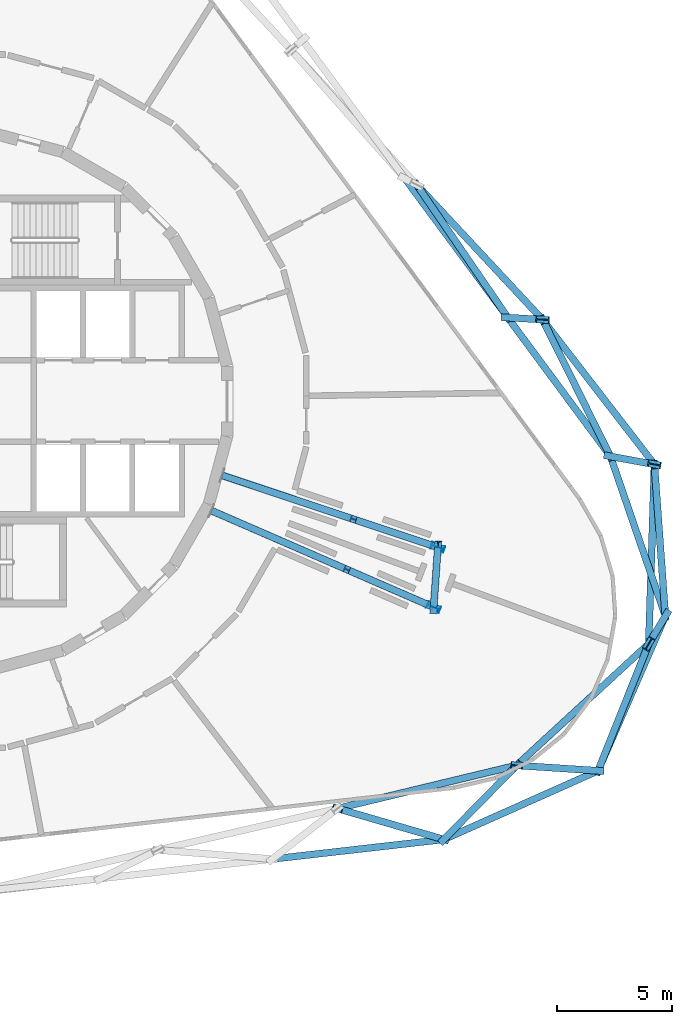
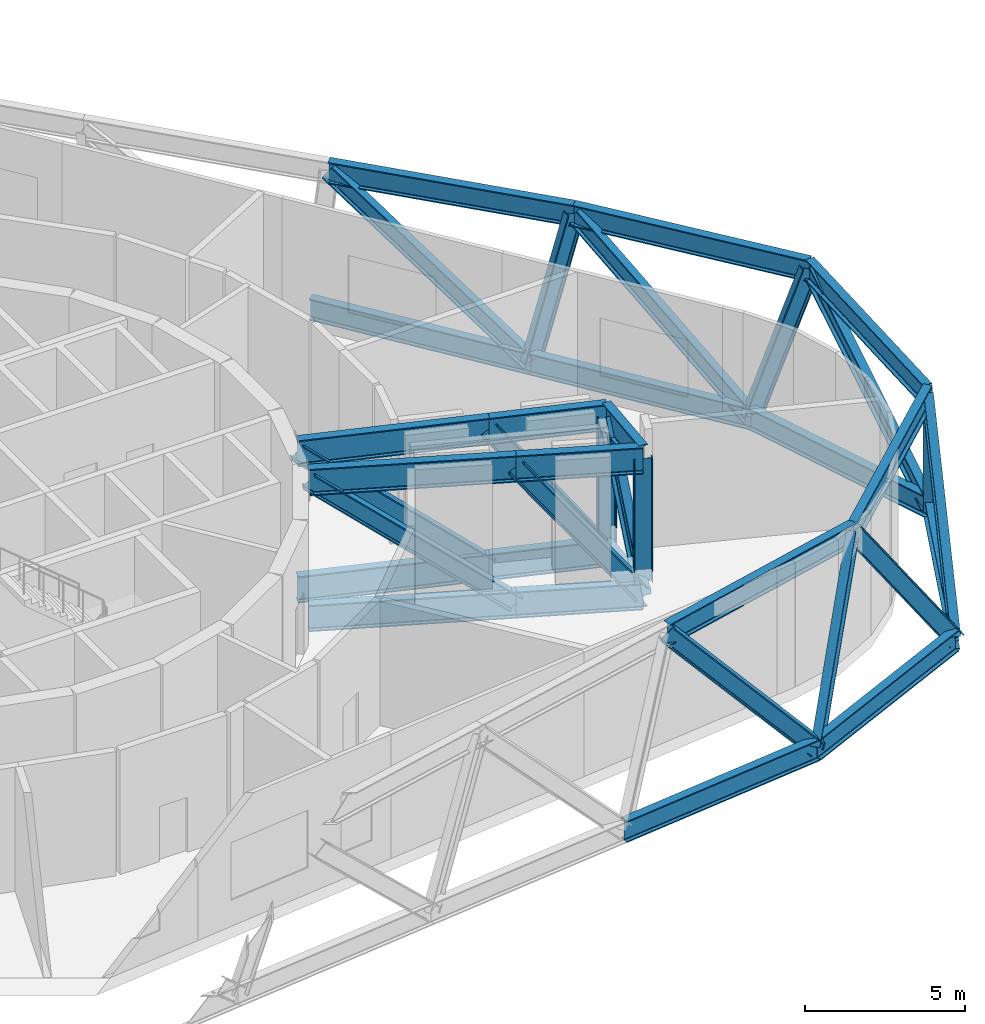
# One storey, part 2 of 11: 38 members.
"""IFC4 building model written with IfcOpenShell, lengths in metres."""

from ifc_helpers import new_model, si_unit, direction, frame, origin, origin_2d, place, context, subcontext, project, spatial, i_section, extrude, material, material_profile, profile_set, type_object, element, save


model = new_model("IFC4")

# Units and contexts
model_context = context("Model", 3, precision=1e-05, world=origin(), true_north=direction((0.0, 1.0)))
body_context = subcontext(model_context, "Body", "Model", "MODEL_VIEW")
ifc_project = project(units=[si_unit("LENGTHUNIT", "METRE"), si_unit("AREAUNIT", "SQUARE_METRE"), si_unit("VOLUMEUNIT", "CUBIC_METRE"), si_unit("PLANEANGLEUNIT", "RADIAN"), si_unit("MASSUNIT", "GRAM", prefix="KILO")], contexts=[model_context])

# Site, building, storey
site_placement = place(None, origin())
site = spatial("IfcSite", under=ifc_project, at=site_placement, CompositionType="ELEMENT")
building_placement = place(site_placement, origin())
building = spatial("IfcBuilding", under=site, at=building_placement, Name="Spindle Arch Residences", CompositionType="ELEMENT")
storey_placement = place(building_placement, frame((0.0, 0.0, 108.199951171875)))
storey = spatial("IfcBuildingStorey", under=building, at=storey_placement, Name="L26", CompositionType="ELEMENT", Elevation=108.199951171875)

# Members
ifc_material_1 = material(Name="Steel S460ML, intumescent coating R 240", Category="steel")
ifc_material_profile_1 = material_profile(ifc_material_1, i_section(OverallWidth=0.302978515625, OverallDepth=0.81396484375, WebThickness=0.02099609375, FlangeThickness=0.0400390625, FilletRadius=0.030029296875, at=origin_2d()), Name="HEM 800")
ifc_profile_set_1 = profile_set([ifc_material_profile_1], Name="Steel S460ML, intumescent coating R 240")
member_type_1 = type_object("IfcMemberType", Name="Belt truss chord HEM 800", PredefinedType="CHORD", material=ifc_profile_set_1)
member_1_placement = place(storey_placement, frame((13.62353515625, -19.943603515625, -0.85693359375), z_axis=(0.993569356187, 0.113225149352, 0.0), x_axis=(-0.113225149352, 0.993569356187, 0.0)))
element("IfcMember", 1, at=member_1_placement, inside=storey, type_object=member_type_1, Name="Belt truss bottom chord L26.2", PredefinedType="CHORD", context=body_context, shape_type="SweptSolid", body=[
    extrude(i_section(OverallWidth=0.302978515625, OverallDepth=0.81396484375, WebThickness=0.02099609375, FlangeThickness=0.0400390625, FilletRadius=0.030029296875, at=origin_2d()), origin(), (0.0, 0.0, 1.0), 7.518798828125),
])
member_2_placement = place(storey_placement, frame((21.093994140625, -19.09228515625, -0.85693359375), z_axis=(0.913355110131, 0.407163901638, 0.0), x_axis=(-0.407163901638, 0.913355110131, 0.0)))
element("IfcMember", 2, at=member_2_placement, inside=storey, type_object=member_type_1, Name="Belt truss bottom chord L26.3", PredefinedType="CHORD", context=body_context, shape_type="SweptSolid", body=[
    extrude(i_section(OverallWidth=0.302978515625, OverallDepth=0.81396484375, WebThickness=0.02099609375, FlangeThickness=0.0400390625, FilletRadius=0.030029296875, at=origin_2d()), origin(), (0.0, 0.0, 1.0), 7.354248046875),
])
member_3_placement = place(storey_placement, frame((27.81103515625, -16.097900390625, -0.85693359375), z_axis=(0.398758921166, 0.917055790446, 0.0), x_axis=(-0.917055790446, 0.398758921166, 0.0)))
element("IfcMember", 3, at=member_3_placement, inside=storey, type_object=member_type_1, Name="Belt truss bottom chord L26.4", PredefinedType="CHORD", context=body_context, shape_type="SweptSolid", body=[
    extrude(i_section(OverallWidth=0.302978515625, OverallDepth=0.81396484375, WebThickness=0.02099609375, FlangeThickness=0.0400390625, FilletRadius=0.030029296875, at=origin_2d()), origin(), (0.0, 0.0, 1.0), 7.346435546875),
])
member_4_placement = place(storey_placement, frame((30.740478515625, -9.36083984375, -0.85693359375), z_axis=(-0.325137291087, 0.945666823963, 0.0), x_axis=(-0.945666823963, -0.325137291087, 0.0)))
element("IfcMember", 4, at=member_4_placement, inside=storey, type_object=member_type_1, Name="Belt truss bottom chord L26.5", PredefinedType="CHORD", context=body_context, shape_type="SweptSolid", body=[
    extrude(i_section(OverallWidth=0.302978515625, OverallDepth=0.81396484375, WebThickness=0.02099609375, FlangeThickness=0.0400390625, FilletRadius=0.030029296875, at=origin_2d()), origin(), (0.0, 0.0, 1.0), 7.354248046875),
])
member_5_placement = place(storey_placement, frame((28.349365234375, -2.40625, -0.85693359375), z_axis=(-0.594818247684, 0.80386021933, 0.0), x_axis=(-0.80386021933, -0.594818247684, 0.0)))
element("IfcMember", 5, at=member_5_placement, inside=storey, type_object=member_type_1, Name="Belt truss bottom chord L26.6", PredefinedType="CHORD", context=body_context, shape_type="SweptSolid", body=[
    extrude(i_section(OverallWidth=0.302978515625, OverallDepth=0.81396484375, WebThickness=0.02099609375, FlangeThickness=0.0400390625, FilletRadius=0.030029296875, at=origin_2d()), origin(), (0.0, 0.0, 1.0), 7.51904296875),
])
member_6_placement = place(storey_placement, frame((23.876953125, 3.637939453125, -0.85693359375), z_axis=(-0.594833773541, 0.803848730704, 0.0), x_axis=(-0.803848730704, -0.594833773541, 0.0)))
element("IfcMember", 6, at=member_6_placement, inside=storey, type_object=member_type_1, Name="Belt truss bottom chord L26.7", PredefinedType="CHORD", context=body_context, shape_type="SweptSolid", body=[
    extrude(i_section(OverallWidth=0.302978515625, OverallDepth=0.81396484375, WebThickness=0.02099609375, FlangeThickness=0.0400390625, FilletRadius=0.030029296875, at=origin_2d()), origin(), (0.0, 0.0, 1.0), 7.518798828125),
])
member_7_placement = place(storey_placement, frame((16.45703125, -17.74365234375, 4.343017578125), z_axis=(0.972303305299, 0.233722661513, 0.0), x_axis=(-0.233722661513, 0.972303305299, 0.0)))
element("IfcMember", 7, at=member_7_placement, inside=storey, type_object=member_type_1, Name="Belt truss top chord L26.2", PredefinedType="CHORD", context=body_context, shape_type="SweptSolid", body=[
    extrude(i_section(OverallWidth=0.302978515625, OverallDepth=0.81396484375, WebThickness=0.02099609375, FlangeThickness=0.0400390625, FilletRadius=0.030029296875, at=origin_2d()), origin(), (0.0, 0.0, 1.0), 8.026611328125),
])
member_8_placement = place(storey_placement, frame((24.26123046875, -15.86767578125, 4.343017578125), z_axis=(0.735681430146, 0.677327714875, 0.0), x_axis=(-0.677327714875, 0.735681430146, 0.0)))
element("IfcMember", 8, at=member_8_placement, inside=storey, type_object=member_type_1, Name="Belt truss top chord L26.3", PredefinedType="CHORD", context=body_context, shape_type="SweptSolid", body=[
    extrude(i_section(OverallWidth=0.302978515625, OverallDepth=0.81396484375, WebThickness=0.02099609375, FlangeThickness=0.0400390625, FilletRadius=0.030029296875, at=origin_2d()), origin(), (0.0, 0.0, 1.0), 7.819580078125),
])
member_9_placement = place(storey_placement, frame((30.013916015625, -10.5712890625, 4.343017578125), z_axis=(0.031723115256, 0.999496695321, 0.0), x_axis=(-0.999496695321, 0.031723115256, 0.0)))
element("IfcMember", 9, at=member_9_placement, inside=storey, type_object=member_type_1, Name="Belt truss top chord L26.4", PredefinedType="CHORD", context=body_context, shape_type="SweptSolid", body=[
    extrude(i_section(OverallWidth=0.302978515625, OverallDepth=0.81396484375, WebThickness=0.02099609375, FlangeThickness=0.0400390625, FilletRadius=0.030029296875, at=origin_2d()), origin(), (0.0, 0.0, 1.0), 7.819091796875),
])
member_10_placement = place(storey_placement, frame((30.261962890625, -2.756103515625, 4.343017578125), z_axis=(-0.611302739976, 0.791396841097, 0.0), x_axis=(-0.791396841097, -0.611302739976, 0.0)))
element("IfcMember", 10, at=member_10_placement, inside=storey, type_object=member_type_1, Name="Belt truss top chord L26.5", PredefinedType="CHORD", context=body_context, shape_type="SweptSolid", body=[
    extrude(i_section(OverallWidth=0.302978515625, OverallDepth=0.81396484375, WebThickness=0.02099609375, FlangeThickness=0.0400390625, FilletRadius=0.030029296875, at=origin_2d()), origin(), (0.0, 0.0, 1.0), 7.96826171875),
])
member_11_placement = place(storey_placement, frame((25.390869140625, 3.550048828125, 4.343017578125), z_axis=(-0.681985586962, 0.731365612519, 0.0), x_axis=(-0.731365612519, -0.681985586962, 0.0)))
element("IfcMember", 11, at=member_11_placement, inside=storey, type_object=member_type_1, Name="Belt truss top chord L26.6", PredefinedType="CHORD", context=body_context, shape_type="SweptSolid", body=[
    extrude(i_section(OverallWidth=0.302978515625, OverallDepth=0.81396484375, WebThickness=0.02099609375, FlangeThickness=0.0400390625, FilletRadius=0.030029296875, at=origin_2d()), origin(), (0.0, 0.0, 1.0), 8.029296875),
])
ifc_material_2 = material(Name="Steel S460ML, intumescent coating R 240", Category="steel")
ifc_material_profile_2 = material_profile(ifc_material_2, i_section(OverallWidth=0.304931640625, OverallDepth=0.6201171875, WebThickness=0.02099609375, FlangeThickness=0.0400390625, FilletRadius=0.027099609375, at=origin_2d()), Name="HEM 600")
ifc_profile_set_2 = profile_set([ifc_material_profile_2], Name="Steel S460ML, intumescent coating R 240")
member_type_2 = type_object("IfcMemberType", Name="Belt truss diagonal HEM 600", PredefinedType="BRACE", material=ifc_profile_set_2)
member_12_placement = place(storey_placement, frame((21.093994140625, -19.09228515625, -0.85693359375), z_axis=(-0.653419264626, 0.190043069436, 0.732752957261), x_axis=(-0.279271911609, -0.960212059592, 0.0)))
element("IfcMember", 12, at=member_12_placement, inside=storey, type_object=member_type_2, Name="Belt truss diagonal L26.2.3", PredefinedType="BRACE", context=body_context, shape_type="SweptSolid", body=[
    extrude(i_section(OverallWidth=0.304931640625, OverallDepth=0.6201171875, WebThickness=0.02099609375, FlangeThickness=0.0400390625, FilletRadius=0.027099609375, at=origin_2d()), origin(), (0.0, 0.0, 1.0), 7.096435546875),
])
member_13_placement = place(storey_placement, frame((21.093994140625, -19.09228515625, -0.85693359375), z_axis=(0.459701057669, 0.468028333438, 0.754734666407), x_axis=(-0.713425014858, 0.700731580689, 0.0)))
element("IfcMember", 13, at=member_13_placement, inside=storey, type_object=member_type_2, Name="Belt truss diagonal L26.3.3", PredefinedType="BRACE", context=body_context, shape_type="SweptSolid", body=[
    extrude(i_section(OverallWidth=0.304931640625, OverallDepth=0.6201171875, WebThickness=0.02099609375, FlangeThickness=0.0400390625, FilletRadius=0.027099609375, at=origin_2d()), origin(), (0.0, 0.0, 1.0), 6.889892578125),
])
member_14_placement = place(storey_placement, frame((27.81103515625, -16.097900390625, -0.85693359375), z_axis=(-0.563435446432, 0.036541927509, 0.825351552514), x_axis=(-0.06471960042, -0.997903488982, 0.0)))
element("IfcMember", 14, at=member_14_placement, inside=storey, type_object=member_type_2, Name="Belt truss diagonal L26.3.4", PredefinedType="BRACE", context=body_context, shape_type="SweptSolid", body=[
    extrude(i_section(OverallWidth=0.304931640625, OverallDepth=0.6201171875, WebThickness=0.02099609375, FlangeThickness=0.0400390625, FilletRadius=0.027099609375, at=origin_2d()), origin(), (0.0, 0.0, 1.0), 6.30029296875),
])
member_15_placement = place(storey_placement, frame((27.81103515625, -16.097900390625, -0.85693359375), z_axis=(0.278788485853, 0.699427568907, 0.658086662992), x_axis=(-0.928925987477, 0.370265458542, 0.0)))
element("IfcMember", 15, at=member_15_placement, inside=storey, type_object=member_type_2, Name="Belt truss diagonal L26.4.4", PredefinedType="BRACE", context=body_context, shape_type="SweptSolid", body=[
    extrude(i_section(OverallWidth=0.304931640625, OverallDepth=0.6201171875, WebThickness=0.02099609375, FlangeThickness=0.0400390625, FilletRadius=0.027099609375, at=origin_2d()), origin(), (0.0, 0.0, 1.0), 7.901611328125),
])
member_16_placement = place(storey_placement, frame((30.740478515625, -9.36083984375, -0.85693359375), z_axis=(-0.134843562792, -0.224648650646, 0.965064866906), x_axis=(0.85740135942, -0.514648335142, 0.0)))
element("IfcMember", 16, at=member_16_placement, inside=storey, type_object=member_type_2, Name="Belt truss diagonal L26.4.5", PredefinedType="BRACE", context=body_context, shape_type="SweptSolid", body=[
    extrude(i_section(OverallWidth=0.304931640625, OverallDepth=0.6201171875, WebThickness=0.02099609375, FlangeThickness=0.0400390625, FilletRadius=0.027099609375, at=origin_2d()), origin(), (0.0, 0.0, 1.0), 5.38818359375),
])
member_17_placement = place(storey_placement, frame((30.740478515625, -9.36083984375, -0.85693359375), z_axis=(-0.056832994225, 0.78444030243, 0.617594869385), x_axis=(-0.997385758803, -0.072260972434, 0.0)))
element("IfcMember", 17, at=member_17_placement, inside=storey, type_object=member_type_2, Name="Belt truss diagonal L26.5.5", PredefinedType="BRACE", context=body_context, shape_type="SweptSolid", body=[
    extrude(i_section(OverallWidth=0.304931640625, OverallDepth=0.6201171875, WebThickness=0.02099609375, FlangeThickness=0.0400390625, FilletRadius=0.027099609375, at=origin_2d()), origin(), (0.0, 0.0, 1.0), 8.419677734375),
])
member_18_placement = place(storey_placement, frame((28.349365234375, -2.40625, -0.85693359375), z_axis=(0.344514788874, -0.063018852752, 0.936663325024), x_axis=(0.179935062217, 0.983678490862, 0.0)))
element("IfcMember", 18, at=member_18_placement, inside=storey, type_object=member_type_2, Name="Belt truss diagonal L26.5.6", PredefinedType="BRACE", context=body_context, shape_type="SweptSolid", body=[
    extrude(i_section(OverallWidth=0.304931640625, OverallDepth=0.6201171875, WebThickness=0.02099609375, FlangeThickness=0.0400390625, FilletRadius=0.027099609375, at=origin_2d()), origin(), (0.0, 0.0, 1.0), 5.551513671875),
])
member_19_placement = place(storey_placement, frame((28.349365234375, -2.40625, -0.85693359375), z_axis=(-0.350443956033, 0.705543917753, 0.615951957381), x_axis=(-0.895606118426, -0.44484792979, 0.0)))
element("IfcMember", 19, at=member_19_placement, inside=storey, type_object=member_type_2, Name="Belt truss diagonal L26.6.6", PredefinedType="BRACE", context=body_context, shape_type="SweptSolid", body=[
    extrude(i_section(OverallWidth=0.304931640625, OverallDepth=0.6201171875, WebThickness=0.02099609375, FlangeThickness=0.0400390625, FilletRadius=0.027099609375, at=origin_2d()), origin(), (0.0, 0.0, 1.0), 8.442138671875),
])
member_20_placement = place(storey_placement, frame((23.876953125, 3.637939453125, -0.85693359375), z_axis=(0.279497517975, -0.016226271, 0.960009294525), x_axis=(0.057957564445, 0.998319047561, 0.0)))
element("IfcMember", 20, at=member_20_placement, inside=storey, type_object=member_type_2, Name="Belt truss diagonal L26.6.7", PredefinedType="BRACE", context=body_context, shape_type="SweptSolid", body=[
    extrude(i_section(OverallWidth=0.304931640625, OverallDepth=0.6201171875, WebThickness=0.02099609375, FlangeThickness=0.0400390625, FilletRadius=0.027099609375, at=origin_2d()), origin(), (0.0, 0.0, 1.0), 5.41650390625),
])
member_21_placement = place(storey_placement, frame((23.876953125, 3.637939453125, -0.85693359375), z_axis=(-0.45387837766, 0.662665787645, 0.595708378468), x_axis=(-0.82503128266, -0.56508705757, 0.0)))
element("IfcMember", 21, at=member_21_placement, inside=storey, type_object=member_type_2, Name="Belt truss diagonal L26.7.7", PredefinedType="BRACE", context=body_context, shape_type="SweptSolid", body=[
    extrude(i_section(OverallWidth=0.304931640625, OverallDepth=0.6201171875, WebThickness=0.02099609375, FlangeThickness=0.0400390625, FilletRadius=0.027099609375, at=origin_2d()), origin(), (0.0, 0.0, 1.0), 8.72900390625),
])
ifc_material_3 = material(Name="Steel S460ML, intumescent coating R 240", Category="steel")
ifc_material_profile_3 = material_profile(ifc_material_3, i_section(OverallWidth=0.302001953125, OverallDepth=1.008056640625, WebThickness=0.02099609375, FlangeThickness=0.0400390625, FilletRadius=0.030029296875, at=origin_2d()), Name="HEM 1000")
ifc_profile_set_3 = profile_set([ifc_material_profile_3], Name="Steel S460ML, intumescent coating R 240")
member_type_3 = type_object("IfcMemberType", Name="Transfer truss chord HEM 1000", PredefinedType="CHORD", material=ifc_profile_set_3)
for number, where, z_axis, x_axis, name in (
    (22, (10.981201171875, -4.774658203125, -0.953857421875), (0.917056989472, -0.398756163664, 0.0), (0.398756163664, 0.917056989472, 0.0), "Transfer truss chord L26"),
    (23, (10.981201171875, -4.774658203125, 4.24609375), (0.917056989472, -0.398756163664, 0.0), (0.398756163664, 0.917056989472, 0.0), "Transfer truss chord L26"),
):
    element("IfcMember", number, at=place(storey_placement, frame(where, z_axis=z_axis, x_axis=x_axis)), inside=storey, type_object=member_type_3, Name=name, PredefinedType="CHORD", context=body_context, shape_type="SweptSolid", body=[
        extrude(i_section(OverallWidth=0.302001953125, OverallDepth=1.008056640625, WebThickness=0.02099609375, FlangeThickness=0.0400390625, FilletRadius=0.030029296875, at=origin_2d()), origin(), (0.0, 0.0, 1.0), 6.53515625),
    ])
for number, where, z_axis, x_axis, name in (
    (24, (16.974365234375, -7.380615234375, -0.953857421875), (0.917064242098, -0.398739483704, 0.0), (0.398739483704, 0.917064242098, 0.0), "Transfer truss chord L26"),
    (25, (16.974365234375, -7.380615234375, 4.24609375), (0.917064242098, -0.398739483704, 0.0), (0.398739483704, 0.917064242098, 0.0), "Transfer truss chord L26"),
):
    element("IfcMember", number, at=place(storey_placement, frame(where, z_axis=z_axis, x_axis=x_axis)), inside=storey, type_object=member_type_3, Name=name, PredefinedType="CHORD", context=body_context, shape_type="SweptSolid", body=[
        extrude(i_section(OverallWidth=0.302001953125, OverallDepth=1.008056640625, WebThickness=0.02099609375, FlangeThickness=0.0400390625, FilletRadius=0.030029296875, at=origin_2d()), origin(), (0.0, 0.0, 1.0), 4.005615234375),
    ])
for number, where, z_axis, x_axis, name in (
    (26, (20.647705078125, -8.977783203125, -0.953857421875), (0.069721386403, 0.997566503186, 0.0), (-0.997566503186, 0.069721386403, 0.0), "Transfer truss chord L26"),
    (27, (20.647705078125, -8.977783203125, 4.24609375), (0.069721386403, 0.997566503186, 0.0), (-0.997566503186, 0.069721386403, 0.0), "Transfer truss chord L26"),
):
    element("IfcMember", number, at=place(storey_placement, frame(where, z_axis=z_axis, x_axis=x_axis)), inside=storey, type_object=member_type_3, Name=name, PredefinedType="CHORD", context=body_context, shape_type="SweptSolid", body=[
        extrude(i_section(OverallWidth=0.302001953125, OverallDepth=1.008056640625, WebThickness=0.02099609375, FlangeThickness=0.0400390625, FilletRadius=0.030029296875, at=origin_2d()), origin(), (0.0, 0.0, 1.0), 2.61572265625),
    ])
for number, where, z_axis, x_axis, name in (
    (28, (11.44921875, -3.239013671875, -0.953857421875), (0.948611599213, -0.316442781302, 0.0), (0.316442781302, 0.948611599213, 0.0), "Transfer truss chord L26"),
    (29, (11.44921875, -3.239013671875, 4.24609375), (0.948611599213, -0.316442781302, 0.0), (0.316442781302, 0.948611599213, 0.0), "Transfer truss chord L26"),
):
    element("IfcMember", number, at=place(storey_placement, frame(where, z_axis=z_axis, x_axis=x_axis)), inside=storey, type_object=member_type_3, Name=name, PredefinedType="CHORD", context=body_context, shape_type="SweptSolid", body=[
        extrude(i_section(OverallWidth=0.302001953125, OverallDepth=1.008056640625, WebThickness=0.02099609375, FlangeThickness=0.0400390625, FilletRadius=0.030029296875, at=origin_2d()), origin(), (0.0, 0.0, 1.0), 6.13134765625),
    ])
for number, where, z_axis, x_axis, name in (
    (30, (17.265380859375, -5.17919921875, -0.953857421875), (0.948605307, -0.316461643065, 0.0), (0.316461643065, 0.948605307, 0.0), "Transfer truss chord L26"),
    (31, (17.265380859375, -5.17919921875, 4.24609375), (0.948605307, -0.316461643065, 0.0), (0.316461643065, 0.948605307, 0.0), "Transfer truss chord L26"),
):
    element("IfcMember", number, at=place(storey_placement, frame(where, z_axis=z_axis, x_axis=x_axis)), inside=storey, type_object=member_type_3, Name=name, PredefinedType="CHORD", context=body_context, shape_type="SweptSolid", body=[
        extrude(i_section(OverallWidth=0.302001953125, OverallDepth=1.008056640625, WebThickness=0.02099609375, FlangeThickness=0.0400390625, FilletRadius=0.030029296875, at=origin_2d()), origin(), (0.0, 0.0, 1.0), 3.7578125),
    ])
ifc_material_4 = material(Name="Steel S460ML, intumescent coating R 240", Category="steel")
ifc_material_profile_4 = material_profile(ifc_material_4, i_section(OverallWidth=0.304931640625, OverallDepth=0.6201171875, WebThickness=0.02099609375, FlangeThickness=0.0400390625, FilletRadius=0.027099609375, at=origin_2d()), Name="HEM 600")
ifc_profile_set_4 = profile_set([ifc_material_profile_4], Name="Steel S460ML, intumescent coating R 240")
member_type_4 = type_object("IfcMemberType", Name="Transfer truss diagonal HEM 600", PredefinedType="BRACE", material=ifc_profile_set_4)
member_22_placement = place(storey_placement, frame((16.974365234375, -7.380615234375, -0.953857421875), z_axis=(-0.717610309205, 0.31203244421, 0.622632474163), x_axis=(-0.398756163664, -0.917056989472, 0.0)))
element("IfcMember", 32, at=member_22_placement, inside=storey, type_object=member_type_4, Name="Transfer truss diagonal L26", PredefinedType="BRACE", context=body_context, shape_type="SweptSolid", body=[
    extrude(i_section(OverallWidth=0.304931640625, OverallDepth=0.6201171875, WebThickness=0.02099609375, FlangeThickness=0.0400390625, FilletRadius=0.027099609375, at=origin_2d()), origin(), (0.0, 0.0, 1.0), 8.3515625),
])
member_23_placement = place(storey_placement, frame((20.647705078125, -8.977783203125, -0.953857421875), z_axis=(-0.559633610908, 0.243328664267, 0.792212965488), x_axis=(-0.398739483704, -0.917064242098, 0.0)))
element("IfcMember", 33, at=member_23_placement, inside=storey, type_object=member_type_4, Name="Transfer truss diagonal L26", PredefinedType="BRACE", context=body_context, shape_type="SweptSolid", body=[
    extrude(i_section(OverallWidth=0.304931640625, OverallDepth=0.6201171875, WebThickness=0.02099609375, FlangeThickness=0.0400390625, FilletRadius=0.027099609375, at=origin_2d()), origin(), (0.0, 0.0, 1.0), 6.563720703125),
])
member_24_placement = place(storey_placement, frame((20.647705078125, -8.977783203125, -0.953857421875), z_axis=(0.031331325061, 0.448285411316, 0.893341221522), x_axis=(-0.997566503186, 0.069721386403, 0.0)))
element("IfcMember", 34, at=member_24_placement, inside=storey, type_object=member_type_4, Name="Transfer truss diagonal L26", PredefinedType="BRACE", context=body_context, shape_type="SweptSolid", body=[
    extrude(i_section(OverallWidth=0.304931640625, OverallDepth=0.6201171875, WebThickness=0.02099609375, FlangeThickness=0.0400390625, FilletRadius=0.027099609375, at=origin_2d()), origin(), (0.0, 0.0, 1.0), 5.82080078125),
])
member_25_placement = place(storey_placement, frame((17.265380859375, -5.17919921875, -0.953857421875), z_axis=(-0.723459467269, 0.241335364412, 0.646810359458), x_axis=(-0.316442781302, -0.948611599213, 0.0)))
element("IfcMember", 35, at=member_25_placement, inside=storey, type_object=member_type_4, Name="Transfer truss diagonal L26", PredefinedType="BRACE", context=body_context, shape_type="SweptSolid", body=[
    extrude(i_section(OverallWidth=0.304931640625, OverallDepth=0.6201171875, WebThickness=0.02099609375, FlangeThickness=0.0400390625, FilletRadius=0.027099609375, at=origin_2d()), origin(), (0.0, 0.0, 1.0), 8.039306640625),
])
member_26_placement = place(storey_placement, frame((20.830078125, -6.368408203125, -0.953857421875), z_axis=(-0.555623840317, 0.185360162056, 0.810508333328), x_axis=(-0.316461643065, -0.948605307, 0.0)))
element("IfcMember", 36, at=member_26_placement, inside=storey, type_object=member_type_4, Name="Transfer truss diagonal L26", PredefinedType="BRACE", context=body_context, shape_type="SweptSolid", body=[
    extrude(i_section(OverallWidth=0.304931640625, OverallDepth=0.6201171875, WebThickness=0.02099609375, FlangeThickness=0.0400390625, FilletRadius=0.027099609375, at=origin_2d()), origin(), (0.0, 0.0, 1.0), 6.415771484375),
])
ifc_material_5 = material(Name="Steel S460ML, intumescent coating R 240", Category="steel")
ifc_material_profile_5 = material_profile(ifc_material_5, i_section(OverallWidth=0.300048828125, OverallDepth=0.60009765625, WebThickness=0.015380859375, FlangeThickness=0.030029296875, FilletRadius=0.027099609375, at=origin_2d()), Name="HEB 600")
ifc_profile_set_5 = profile_set([ifc_material_profile_5], Name="Steel S460ML, intumescent coating R 240")
member_type_5 = type_object("IfcMemberType", Name="Transfer truss post HEB 600", PredefinedType="POST", material=ifc_profile_set_5)
member_27_placement = place(storey_placement, frame((20.647705078125, -8.977783203125, -0.449951171875), z_axis=(0.0, 0.0, 1.0), x_axis=(-0.39874787389, -0.917060594, 0.0)))
element("IfcMember", 37, at=member_27_placement, inside=storey, type_object=member_type_5, Name="Transfer truss post L26", PredefinedType="POST", context=body_context, shape_type="SweptSolid", body=[
    extrude(i_section(OverallWidth=0.300048828125, OverallDepth=0.60009765625, WebThickness=0.015380859375, FlangeThickness=0.030029296875, FilletRadius=0.027099609375, at=origin_2d()), origin(), (0.0, 0.0, 1.0), 4.696044921875),
])
member_28_placement = place(storey_placement, frame((20.830078125, -6.368408203125, -0.953857421875), z_axis=(0.0, 0.0, 1.0), x_axis=(-0.316440712704, -0.948612289264, 0.0)))
element("IfcMember", 38, at=member_28_placement, inside=storey, type_object=member_type_5, Name="Transfer truss post L26", PredefinedType="POST", context=body_context, shape_type="SweptSolid", body=[
    extrude(i_section(OverallWidth=0.300048828125, OverallDepth=0.60009765625, WebThickness=0.015380859375, FlangeThickness=0.030029296875, FilletRadius=0.027099609375, at=origin_2d()), origin(), (0.0, 0.0, 1.0), 5.199951171875),
])

save(model, "model.ifc")
